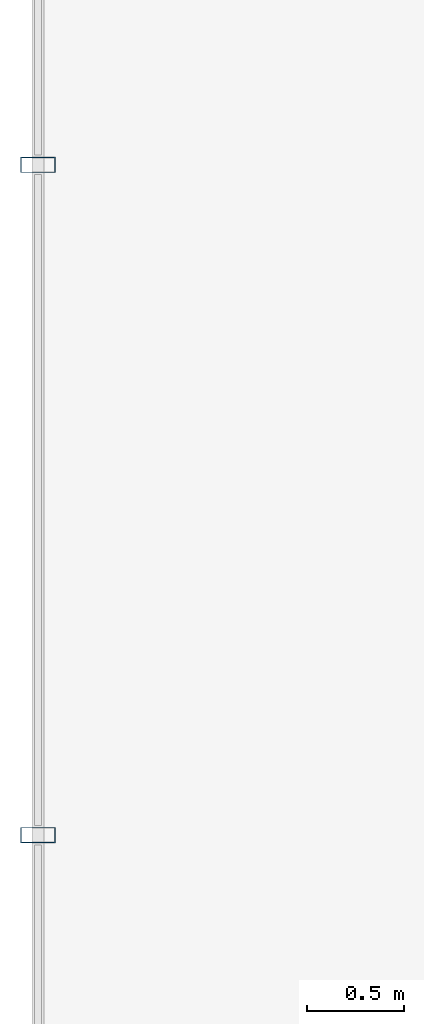
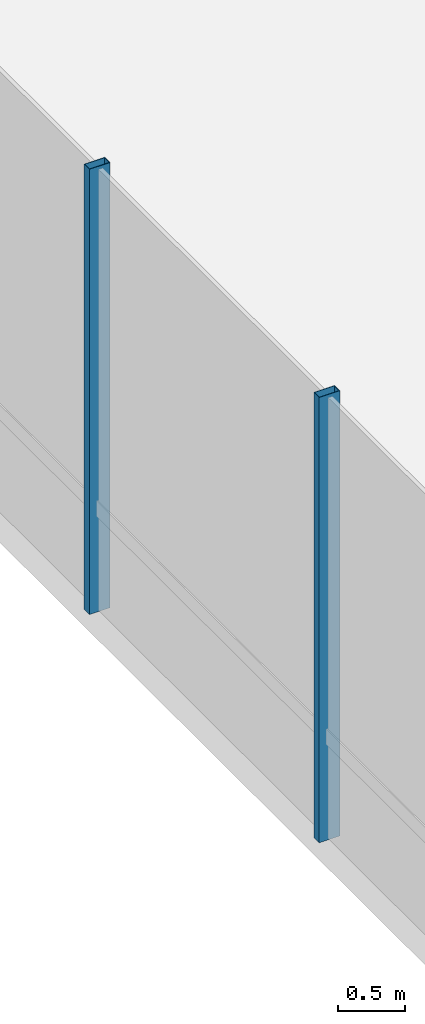
# One storey, part 8 of 33: 2 members, 1 element without a shape of its own.
"""IFC4 building model written with IfcOpenShell, lengths in metres."""

from ifc_helpers import new_model, si_unit, direction, frame, origin, origin_2d, place, context, subcontext, project, spatial, hollow_rectangle, extrude, material, layer, layer_set, material_profile, profile_set, type_object, element, aggregate, save


model = new_model("IFC4")

# Units and contexts
model_context = context("Model", 3, precision=1e-05, world=origin(), true_north=direction((0.0, 1.0)))
body_context = subcontext(model_context, "Body", "Model", "MODEL_VIEW")
ifc_project = project(units=[si_unit("LENGTHUNIT", "METRE"), si_unit("AREAUNIT", "SQUARE_METRE"), si_unit("VOLUMEUNIT", "CUBIC_METRE"), si_unit("PLANEANGLEUNIT", "RADIAN"), si_unit("MASSUNIT", "GRAM", prefix="KILO")], contexts=[model_context])

# Site, building, storey
site_placement = place(None, origin())
site = spatial("IfcSite", under=ifc_project, at=site_placement, CompositionType="ELEMENT")
building_placement = place(site_placement, origin())
building = spatial("IfcBuilding", under=site, at=building_placement, Name="Zarrinselat Tower", CompositionType="ELEMENT")
storey_placement = place(building_placement, frame((0.0, 0.0, 18.360107421875)))
storey = spatial("IfcBuildingStorey", under=building, at=storey_placement, Name="L04", CompositionType="ELEMENT", Elevation=18.360107421875)

# Curtain wall, members
ifc_material_1 = material(Name="Extruded Aluminium Alloy EN AW-6063 T6", Category="aluminium")
ifc_layer = layer(ifc_material_1, 0.2099609375)
ifc_layer_set = layer_set([ifc_layer], Name="Extruded Aluminium Alloy EN AW-6063 T6")
curtain_wall_type = type_object("IfcCurtainWallType", Name="CWS-POD", PredefinedType="NOTDEFINED", material=ifc_layer_set)
curtain_wall_placement = place(storey_placement, origin())
curtain_wall = element("IfcCurtainWall", 1, at=curtain_wall_placement, inside=storey, type_object=curtain_wall_type, Name="L04 Unitised Curtain Wall CW-L04-F7", PredefinedType="NOTDEFINED")
ifc_material_2 = material(Name="Extruded Aluminium Alloy EN AW-6063 T6", Category="aluminium")
ifc_material_profile = material_profile(ifc_material_2, hollow_rectangle(XDim=0.080078125, YDim=0.179931640625, WallThickness=0.0048828125, at=origin_2d()), Name="RHS 180x80x5")
ifc_profile_set = profile_set([ifc_material_profile], Name="Extruded Aluminium Alloy EN AW-6063 T6")
member_type = type_object("IfcMemberType", Name="MEM-CW-MUL", PredefinedType="MULLION", material=ifc_profile_set)
member_1_placement = place(storey_placement, frame((5.39990234375, 28.800048828125, 0.0), z_axis=(0.0, 0.0, 1.0), x_axis=(0.0, -1.0, 0.0)))
member_1 = element("IfcMember", 2, at=member_1_placement, type_object=member_type, Name="CW-L04-F7 Mullion 5", PredefinedType="MULLION", context=body_context, shape_type="SweptSolid", body=[
    extrude(hollow_rectangle(XDim=0.080078125, YDim=0.179931640625, WallThickness=0.0048828125, at=origin_2d()), origin(), (0.0, 0.0, 1.0), 4.06982421875),
])
member_2_placement = place(storey_placement, frame((5.39990234375, 25.360107421875, 0.0), z_axis=(0.0, 0.0, 1.0), x_axis=(0.0, -1.0, 0.0)))
member_2 = element("IfcMember", 3, at=member_2_placement, type_object=member_type, Name="CW-L04-F7 Mullion 6", PredefinedType="MULLION", context=body_context, shape_type="SweptSolid", body=[
    extrude(hollow_rectangle(XDim=0.080078125, YDim=0.179931640625, WallThickness=0.0048828125, at=origin_2d()), origin(), (0.0, 0.0, 1.0), 4.06982421875),
])
aggregate(curtain_wall, [member_1, member_2])

save(model, "model.ifc")
